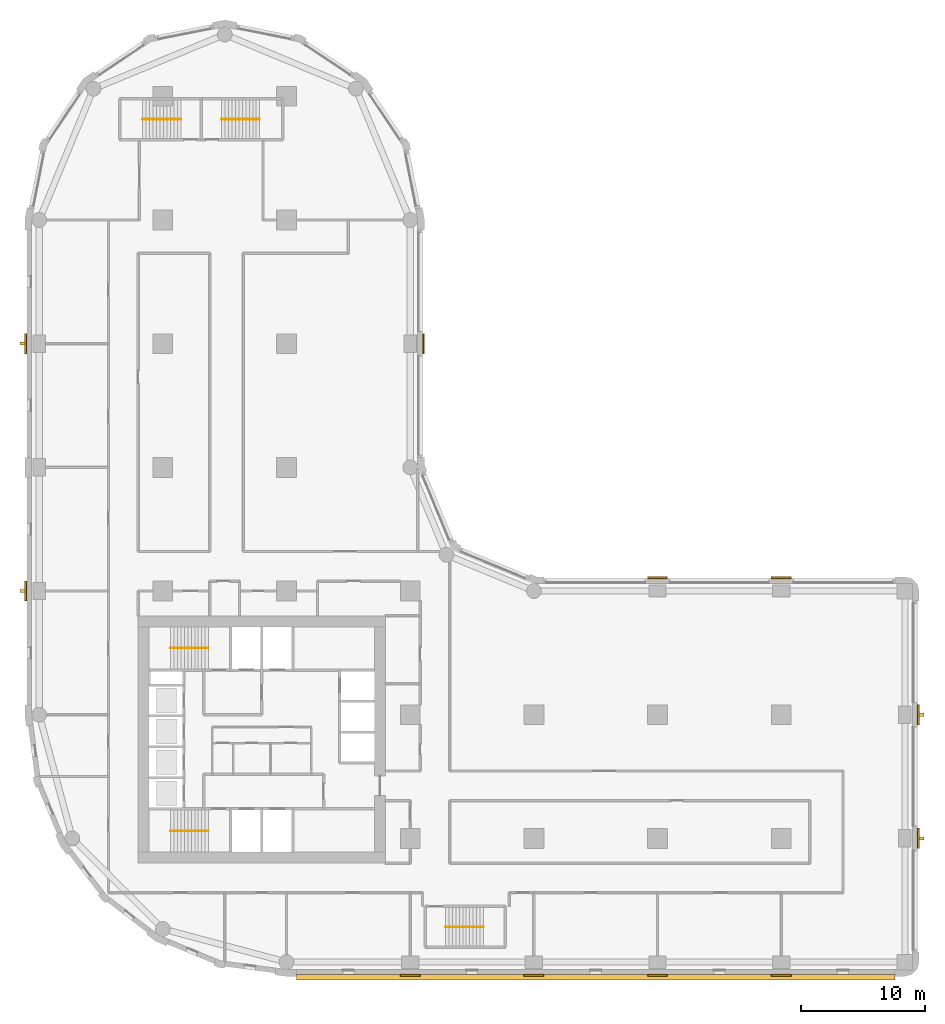
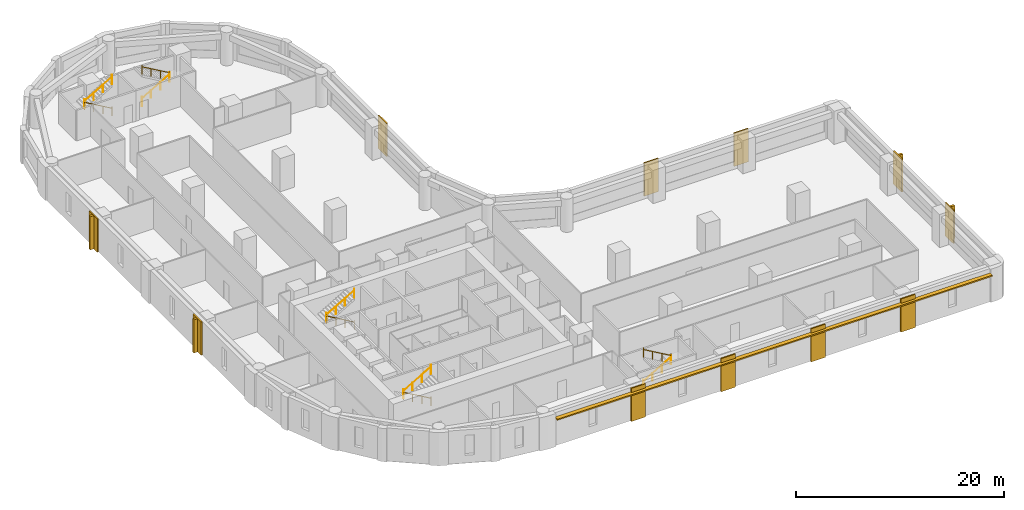
# One storey, part 9 of 10: 11 coverings, 10 railings, 5 shading devices.
"""IFC4 building model written with IfcOpenShell, lengths in metres."""

from ifc_helpers import new_model, si_unit, direction, frame, origin, origin_2d, place, context, subcontext, project, spatial, polyline, rectangle, circle, outline, extrude, material, layer, layer_set, type_object, element, save


model = new_model("IFC4")

# Units and contexts
model_context = context("Model", 3, precision=1e-05, world=origin(), true_north=direction((0.0, 1.0)))
body_context = subcontext(model_context, "Body", "Model", "MODEL_VIEW")
ifc_project = project(units=[si_unit("LENGTHUNIT", "METRE"), si_unit("AREAUNIT", "SQUARE_METRE"), si_unit("VOLUMEUNIT", "CUBIC_METRE"), si_unit("PLANEANGLEUNIT", "RADIAN"), si_unit("MASSUNIT", "GRAM", prefix="KILO")], contexts=[model_context])

# Site, building, storey
site_placement = place(None, origin())
site = spatial("IfcSite", under=ifc_project, at=site_placement, CompositionType="ELEMENT")
building_placement = place(site_placement, origin())
building = spatial("IfcBuilding", under=site, at=building_placement, Name="Qaws Garden Tower", CompositionType="ELEMENT")
storey_placement = place(building_placement, frame((0.0, 0.0, 47.10009765625)))
storey = spatial("IfcBuildingStorey", under=building, at=storey_placement, Name="L11", CompositionType="ELEMENT", Elevation=47.10009765625)

# Coverings
ifc_material_1 = material(Name="Clay facing brick masonry", Category="masonry")
ifc_layer_1 = layer(ifc_material_1, 0.14990234375)
ifc_layer_set_1 = layer_set([ifc_layer_1], Name="Clay facing brick masonry")
covering_type = type_object("IfcCoveringType", Name="Brick pilaster facing 150 x 1600", PredefinedType="CLADDING", material=ifc_layer_set_1)
placement = place(storey_placement, origin())
element("IfcCovering", 1, at=placement, inside=storey, type_object=covering_type, Name="E-L11-pier-01", PredefinedType="CLADDING", context=body_context, shape_type="SweptSolid", body=[
    extrude(outline(polyline([(29.199951171875, -1.0), (30.800048828125, -1.0), (30.800048828125, -1.14990234375), (29.199951171875, -1.14990234375), (29.199951171875, -1.0)])), origin(), (0.0, 0.0, 1.0), 3.89990234375),
])
element("IfcCovering", 2, at=placement, inside=storey, type_object=covering_type, Name="E-L11-pier-02", PredefinedType="CLADDING", context=body_context, shape_type="SweptSolid", body=[
    extrude(outline(polyline([(39.199951171875, -1.0), (40.800048828125, -1.0), (40.800048828125, -1.14990234375), (39.199951171875, -1.14990234375), (39.199951171875, -1.0)])), origin(), (0.0, 0.0, 1.0), 3.89990234375),
])
element("IfcCovering", 3, at=placement, inside=storey, type_object=covering_type, Name="E-L11-pier-03", PredefinedType="CLADDING", context=body_context, shape_type="SweptSolid", body=[
    extrude(outline(polyline([(49.199951171875, -1.0), (50.800048828125, -1.0), (50.800048828125, -1.14990234375), (49.199951171875, -1.14990234375), (49.199951171875, -1.0)])), origin(), (0.0, 0.0, 1.0), 3.89990234375),
])
element("IfcCovering", 4, at=placement, inside=storey, type_object=covering_type, Name="E-L11-pier-04", PredefinedType="CLADDING", context=body_context, shape_type="SweptSolid", body=[
    extrude(outline(polyline([(59.199951171875, -1.0), (60.800048828125, -1.0), (60.800048828125, -1.14990234375), (59.199951171875, -1.14990234375), (59.199951171875, -1.0)])), origin(), (0.0, 0.0, 1.0), 3.89990234375),
])
element("IfcCovering", 5, at=placement, inside=storey, type_object=covering_type, Name="E-L11-pier-06", PredefinedType="CLADDING", context=body_context, shape_type="SweptSolid", body=[
    extrude(outline(polyline([(71.0, 9.199951171875), (71.0, 10.800048828125), (71.14990234375, 10.800048828125), (71.14990234375, 9.199951171875), (71.0, 9.199951171875)])), origin(), (0.0, 0.0, 1.0), 3.89990234375),
])
element("IfcCovering", 6, at=placement, inside=storey, type_object=covering_type, Name="E-L11-pier-07", PredefinedType="CLADDING", context=body_context, shape_type="SweptSolid", body=[
    extrude(outline(polyline([(71.0, 19.199951171875), (71.0, 20.800048828125), (71.14990234375, 20.800048828125), (71.14990234375, 19.199951171875), (71.0, 19.199951171875)])), origin(), (0.0, 0.0, 1.0), 3.89990234375),
])
element("IfcCovering", 7, at=placement, inside=storey, type_object=covering_type, Name="E-L11-pier-09", PredefinedType="CLADDING", context=body_context, shape_type="SweptSolid", body=[
    extrude(outline(polyline([(60.800048828125, 31.0), (59.199951171875, 31.0), (59.199951171875, 31.14990234375), (60.800048828125, 31.14990234375), (60.800048828125, 31.0)])), origin(), (0.0, 0.0, 1.0), 3.89990234375),
])
element("IfcCovering", 8, at=placement, inside=storey, type_object=covering_type, Name="E-L11-pier-10", PredefinedType="CLADDING", context=body_context, shape_type="SweptSolid", body=[
    extrude(outline(polyline([(50.800048828125, 31.0), (49.199951171875, 31.0), (49.199951171875, 31.14990234375), (50.800048828125, 31.14990234375), (50.800048828125, 31.0)])), origin(), (0.0, 0.0, 1.0), 3.89990234375),
])
element("IfcCovering", 9, at=placement, inside=storey, type_object=covering_type, Name="E-L11-pier-14", PredefinedType="CLADDING", context=body_context, shape_type="SweptSolid", body=[
    extrude(outline(polyline([(31.0, 49.199951171875), (31.0, 50.800048828125), (31.14990234375, 50.800048828125), (31.14990234375, 49.199951171875), (31.0, 49.199951171875)])), origin(), (0.0, 0.0, 1.0), 3.89990234375),
])
element("IfcCovering", 10, at=placement, inside=storey, type_object=covering_type, Name="E-L11-pier-24", PredefinedType="CLADDING", context=body_context, shape_type="SweptSolid", body=[
    extrude(outline(polyline([(-1.0, 50.800048828125), (-1.0, 49.199951171875), (-1.14990234375, 49.199951171875), (-1.14990234375, 50.800048828125), (-1.0, 50.800048828125)])), origin(), (0.0, 0.0, 1.0), 3.89990234375),
])
element("IfcCovering", 11, at=placement, inside=storey, type_object=covering_type, Name="E-L11-pier-26", PredefinedType="CLADDING", context=body_context, shape_type="SweptSolid", body=[
    extrude(outline(polyline([(-1.0, 30.800048828125), (-1.0, 29.199951171875), (-1.14990234375, 29.199951171875), (-1.14990234375, 30.800048828125), (-1.0, 30.800048828125)])), origin(), (0.0, 0.0, 1.0), 3.89990234375),
])

# Shading devices
ifc_material_2 = material(Name="Clay facing brick masonry", Category="masonry")
ifc_layer_2 = layer(ifc_material_2, 0.14990234375)
ifc_layer_set_2 = layer_set([ifc_layer_2], Name="Clay facing brick masonry")
shading_device_type_1 = type_object("IfcShadingDeviceType", Name="Brick sunshade band 450 x 150", PredefinedType="JALOUSIE", material=ifc_layer_set_2)
shading_device_placement = place(storey_placement, frame((0.0, 0.0, 3.25)))
element("IfcShadingDevice", 12, at=shading_device_placement, inside=storey, type_object=shading_device_type_1, Name="SUNSHADE 00", PredefinedType="JALOUSIE", context=body_context, shape_type="SweptSolid", body=[
    extrude(outline(polyline([(20.800048828125, -1.0), (20.800048828125, -1.449951171875), (69.199951171875, -1.449951171875), (69.199951171875, -1.0), (60.800048828125, -1.0), (60.800048828125, -1.14990234375), (59.199951171875, -1.14990234375), (59.199951171875, -1.0), (50.800048828125, -1.0), (50.800048828125, -1.14990234375), (49.199951171875, -1.14990234375), (49.199951171875, -1.0), (40.800048828125, -1.0), (40.800048828125, -1.14990234375), (39.199951171875, -1.14990234375), (39.199951171875, -1.0), (30.800048828125, -1.0), (30.800048828125, -1.14990234375), (29.199951171875, -1.14990234375), (29.199951171875, -1.0), (20.800048828125, -1.0)])), origin(), (0.0, 0.0, 1.0), 0.14990234375),
])
ifc_material_3 = material(Name="Clay facing brick masonry", Category="masonry")
ifc_layer_3 = layer(ifc_material_3, 0.25)
ifc_layer_set_3 = layer_set([ifc_layer_3], Name="Clay facing brick masonry")
shading_device_type_2 = type_object("IfcShadingDeviceType", Name="Brick-faced fin 250 x 400", PredefinedType="USERDEFINED", material=ifc_layer_set_3)
for number, where, z_axis, x_axis, name in (
    (13, (71.35009765625, 10.0, 0.0), (0.0, 0.0, 1.0), (0.0, 1.0, 0.0), "FIN 06"),
    (14, (71.35009765625, 20.0, 0.0), (0.0, 0.0, 1.0), (0.0, 1.0, 0.0), "FIN 07"),
    (15, (-1.35009765625, 50.0, 0.0), (0.0, 0.0, 1.0), (0.0, -1.0, 0.0), "FIN 24"),
    (16, (-1.35009765625, 30.0, 0.0), (0.0, 0.0, 1.0), (0.0, -1.0, 0.0), "FIN 26"),
):
    element("IfcShadingDevice", number, at=place(storey_placement, frame(where, z_axis=z_axis, x_axis=x_axis)), inside=storey, type_object=shading_device_type_2, Name=name, ObjectType="FIN", PredefinedType="USERDEFINED", context=body_context, shape_type="SweptSolid", body=[
        extrude(rectangle(XDim=0.25, YDim=0.39990234375, at=origin_2d()), origin(), (0.0, 0.0, 1.0), 3.89990234375),
    ])

# Railings
ifc_material_4 = material(Name="Steel S355", Category="steel")
railing_type = type_object("IfcRailingType", Name="Stair handrail 900", PredefinedType="HANDRAIL", material=ifc_material_4)
railing_1_placement = place(storey_placement, frame((13.699951171875, 10.60009765625, 0.162353515625)))
element("IfcRailing", 17, at=railing_1_placement, inside=storey, type_object=railing_type, Name="Stair 1 handrail", PredefinedType="HANDRAIL", context=body_context, shape_type="SweptSolid", body=[
    extrude(circle(Radius=0.02392578125, at=origin_2d()), frame((0.0, 0.0, 0.8759765625), z_axis=(-0.864873446163, 0.0, 0.501989962173), x_axis=(0.0, -1.0, 0.0)), (0.0, 0.0, 1.0), 3.56103515625),
    extrude(circle(Radius=0.02099609375, at=origin_2d()), origin(), (0.0, 0.0, 1.0), 1.06201171875),
    extrude(circle(Radius=0.02099609375, at=origin_2d()), frame((-1.026611328125, 0.0, 0.595947265625)), (0.0, 0.0, 1.0), 0.851806640625),
    extrude(circle(Radius=0.02099609375, at=origin_2d()), frame((-2.05322265625, 0.0, 1.191650390625)), (0.0, 0.0, 1.0), 0.851806640625),
    extrude(circle(Radius=0.02099609375, at=origin_2d()), frame((-3.079833984375, 0.0, 1.78759765625)), (0.0, 0.0, 1.0), 1.06201171875),
])
railing_2_placement = place(storey_placement, frame((10.6201171875, 10.60009765625, 2.1123046875)))
element("IfcRailing", 18, at=railing_2_placement, inside=storey, type_object=railing_type, Name="Stair 1 handrail", PredefinedType="HANDRAIL", context=body_context, shape_type="SweptSolid", body=[
    extrude(circle(Radius=0.02392578125, at=origin_2d()), frame((0.0, 0.0, 0.8759765625), z_axis=(0.864873446163, 0.0, 0.501989962173), x_axis=(0.0, 1.0, 0.0)), (0.0, 0.0, 1.0), 3.56103515625),
    extrude(circle(Radius=0.02099609375, at=origin_2d()), origin(), (0.0, 0.0, 1.0), 1.06201171875),
    extrude(circle(Radius=0.02099609375, at=origin_2d()), frame((1.026611328125, 0.0, 0.595947265625)), (0.0, 0.0, 1.0), 0.851806640625),
    extrude(circle(Radius=0.02099609375, at=origin_2d()), frame((2.05322265625, 0.0, 1.191650390625)), (0.0, 0.0, 1.0), 0.851806640625),
    extrude(circle(Radius=0.02099609375, at=origin_2d()), frame((3.079833984375, 0.0, 1.78759765625)), (0.0, 0.0, 1.0), 1.06201171875),
])
railing_3_placement = place(storey_placement, frame((13.699951171875, 25.39990234375, 0.162353515625)))
element("IfcRailing", 19, at=railing_3_placement, inside=storey, type_object=railing_type, Name="Stair 4 handrail", PredefinedType="HANDRAIL", context=body_context, shape_type="SweptSolid", body=[
    extrude(circle(Radius=0.02392578125, at=origin_2d()), frame((0.0, 0.0, 0.8759765625), z_axis=(-0.864873446163, 0.0, 0.501989962173), x_axis=(0.0, -1.0, 0.0)), (0.0, 0.0, 1.0), 3.56103515625),
    extrude(circle(Radius=0.02099609375, at=origin_2d()), origin(), (0.0, 0.0, 1.0), 1.06201171875),
    extrude(circle(Radius=0.02099609375, at=origin_2d()), frame((-1.026611328125, 0.0, 0.595947265625)), (0.0, 0.0, 1.0), 0.851806640625),
    extrude(circle(Radius=0.02099609375, at=origin_2d()), frame((-2.05322265625, 0.0, 1.191650390625)), (0.0, 0.0, 1.0), 0.851806640625),
    extrude(circle(Radius=0.02099609375, at=origin_2d()), frame((-3.079833984375, 0.0, 1.78759765625)), (0.0, 0.0, 1.0), 1.06201171875),
])
for number, where, name in (
    (20, (10.6201171875, 25.39990234375, 2.1123046875), "Stair 4 handrail"),
    (21, (32.85009765625, 2.85009765625, 0.162353515625), "Stair 5 handrail"),
):
    element("IfcRailing", number, at=place(storey_placement, frame(where)), inside=storey, type_object=railing_type, Name=name, PredefinedType="HANDRAIL", context=body_context, shape_type="SweptSolid", body=[
        extrude(circle(Radius=0.02392578125, at=origin_2d()), frame((0.0, 0.0, 0.8759765625), z_axis=(0.864873446163, 0.0, 0.501989962173), x_axis=(0.0, 1.0, 0.0)), (0.0, 0.0, 1.0), 3.56103515625),
        extrude(circle(Radius=0.02099609375, at=origin_2d()), origin(), (0.0, 0.0, 1.0), 1.06201171875),
        extrude(circle(Radius=0.02099609375, at=origin_2d()), frame((1.026611328125, 0.0, 0.595947265625)), (0.0, 0.0, 1.0), 0.851806640625),
        extrude(circle(Radius=0.02099609375, at=origin_2d()), frame((2.05322265625, 0.0, 1.191650390625)), (0.0, 0.0, 1.0), 0.851806640625),
        extrude(circle(Radius=0.02099609375, at=origin_2d()), frame((3.079833984375, 0.0, 1.78759765625)), (0.0, 0.0, 1.0), 1.06201171875),
    ])
for number, where, name in (
    (22, (35.929931640625, 2.85009765625, 2.1123046875), "Stair 5 handrail"),
    (23, (11.449951171875, 68.14990234375, 0.162353515625), "Stair 6 handrail"),
):
    element("IfcRailing", number, at=place(storey_placement, frame(where)), inside=storey, type_object=railing_type, Name=name, PredefinedType="HANDRAIL", context=body_context, shape_type="SweptSolid", body=[
        extrude(circle(Radius=0.02392578125, at=origin_2d()), frame((0.0, 0.0, 0.8759765625), z_axis=(-0.864873446163, 0.0, 0.501989962173), x_axis=(0.0, -1.0, 0.0)), (0.0, 0.0, 1.0), 3.56103515625),
        extrude(circle(Radius=0.02099609375, at=origin_2d()), origin(), (0.0, 0.0, 1.0), 1.06201171875),
        extrude(circle(Radius=0.02099609375, at=origin_2d()), frame((-1.026611328125, 0.0, 0.595947265625)), (0.0, 0.0, 1.0), 0.851806640625),
        extrude(circle(Radius=0.02099609375, at=origin_2d()), frame((-2.05322265625, 0.0, 1.191650390625)), (0.0, 0.0, 1.0), 0.851806640625),
        extrude(circle(Radius=0.02099609375, at=origin_2d()), frame((-3.079833984375, 0.0, 1.78759765625)), (0.0, 0.0, 1.0), 1.06201171875),
    ])
railing_4_placement = place(storey_placement, frame((8.3701171875, 68.14990234375, 2.1123046875)))
element("IfcRailing", 24, at=railing_4_placement, inside=storey, type_object=railing_type, Name="Stair 6 handrail", PredefinedType="HANDRAIL", context=body_context, shape_type="SweptSolid", body=[
    extrude(circle(Radius=0.02392578125, at=origin_2d()), frame((0.0, 0.0, 0.8759765625), z_axis=(0.864873446163, 0.0, 0.501989962173), x_axis=(0.0, 1.0, 0.0)), (0.0, 0.0, 1.0), 3.56103515625),
    extrude(circle(Radius=0.02099609375, at=origin_2d()), origin(), (0.0, 0.0, 1.0), 1.06201171875),
    extrude(circle(Radius=0.02099609375, at=origin_2d()), frame((1.026611328125, 0.0, 0.595947265625)), (0.0, 0.0, 1.0), 0.851806640625),
    extrude(circle(Radius=0.02099609375, at=origin_2d()), frame((2.05322265625, 0.0, 1.191650390625)), (0.0, 0.0, 1.0), 0.851806640625),
    extrude(circle(Radius=0.02099609375, at=origin_2d()), frame((3.079833984375, 0.0, 1.78759765625)), (0.0, 0.0, 1.0), 1.06201171875),
])
railing_5_placement = place(storey_placement, frame((14.75, 68.14990234375, 0.162353515625)))
element("IfcRailing", 25, at=railing_5_placement, inside=storey, type_object=railing_type, Name="Stair 7 handrail", PredefinedType="HANDRAIL", context=body_context, shape_type="SweptSolid", body=[
    extrude(circle(Radius=0.02392578125, at=origin_2d()), frame((0.0, 0.0, 0.8759765625), z_axis=(0.864890721111, 0.0, 0.501960198159), x_axis=(0.0, 1.0, 0.0)), (0.0, 0.0, 1.0), 3.561279296875),
    extrude(circle(Radius=0.02099609375, at=origin_2d()), origin(), (0.0, 0.0, 1.0), 1.06201171875),
    extrude(circle(Radius=0.02099609375, at=origin_2d()), frame((1.026611328125, 0.0, 0.595947265625)), (0.0, 0.0, 1.0), 0.851806640625),
    extrude(circle(Radius=0.02099609375, at=origin_2d()), frame((2.053466796875, 0.0, 1.191650390625)), (0.0, 0.0, 1.0), 0.851806640625),
    extrude(circle(Radius=0.02099609375, at=origin_2d()), frame((3.080078125, 0.0, 1.78759765625)), (0.0, 0.0, 1.0), 1.06201171875),
])
railing_6_placement = place(storey_placement, frame((17.830078125, 68.14990234375, 2.1123046875)))
element("IfcRailing", 26, at=railing_6_placement, inside=storey, type_object=railing_type, Name="Stair 7 handrail", PredefinedType="HANDRAIL", context=body_context, shape_type="SweptSolid", body=[
    extrude(circle(Radius=0.02392578125, at=origin_2d()), frame((0.0, 0.0, 0.8759765625), z_axis=(-0.864890721111, 0.0, 0.501960198159), x_axis=(0.0, -1.0, 0.0)), (0.0, 0.0, 1.0), 3.561279296875),
    extrude(circle(Radius=0.02099609375, at=origin_2d()), origin(), (0.0, 0.0, 1.0), 1.06201171875),
    extrude(circle(Radius=0.02099609375, at=origin_2d()), frame((-1.026611328125, 0.0, 0.595947265625)), (0.0, 0.0, 1.0), 0.851806640625),
    extrude(circle(Radius=0.02099609375, at=origin_2d()), frame((-2.053466796875, 0.0, 1.191650390625)), (0.0, 0.0, 1.0), 0.851806640625),
    extrude(circle(Radius=0.02099609375, at=origin_2d()), frame((-3.080078125, 0.0, 1.78759765625)), (0.0, 0.0, 1.0), 1.06201171875),
])

save(model, "model.ifc")
